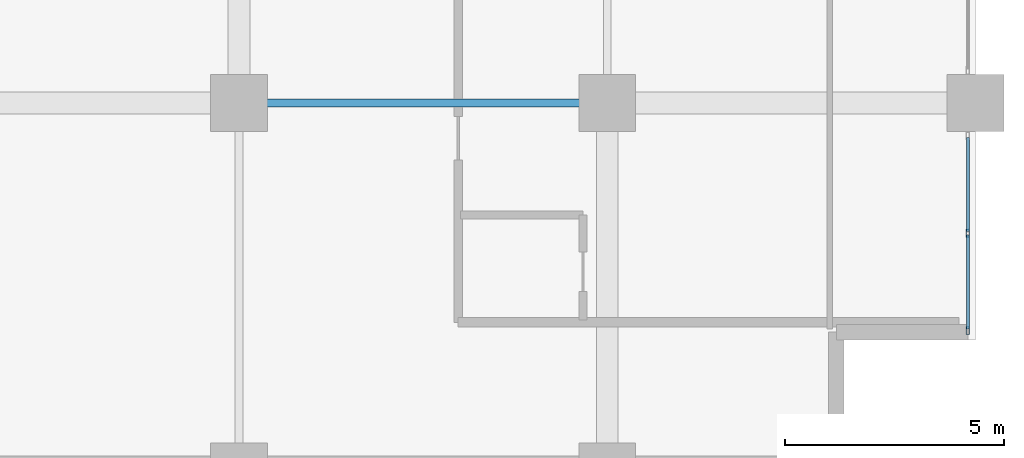
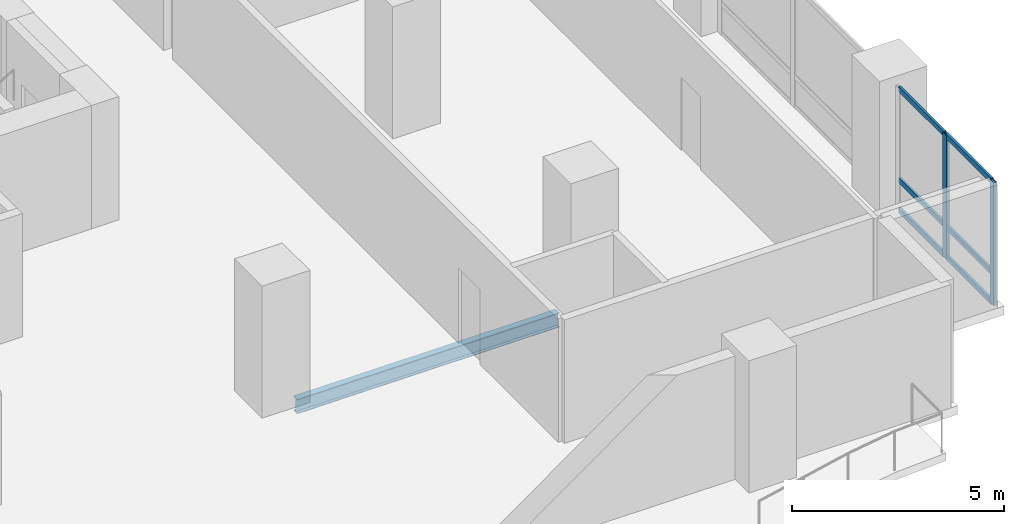
# One storey, part 3 of 23: 8 members, 1 beam, 1 element without a shape of its own.
"""IFC4 building model written with IfcOpenShell, lengths in metres."""

import ifcopenshell
import ifcopenshell.guid

model = None  # the IFC model being written
_history = None  # IfcOwnerHistory: only IFC2X3 demands one
_inside = {}  # id of a spatial element -> (the spatial element, [elements in it])
_under = {}  # id of a project, library or spatial element -> (it, [spatial elements below it])
_declared = {}  # id of a project -> (the project, [libraries it declares])
_typed = {}  # id of a type object -> (the type object, [elements of that type])
_made_of = {}  # id of a material, layer set ... -> (it, [elements and type objects made of it])


def new_model(schema):
    """Start an empty IFC model of exactly this schema.

    Asked for "IFC4X3", IfcOpenShell would pick the latest addendum, in which some entities
    have other attributes; the version numbers below select the first issue.
    IFC2X3 requires an IfcOwnerHistory on every rooted entity: one is made here for all.
    """
    global model, _history
    if schema == "IFC4X3":
        model = ifcopenshell.file(schema_version=(4, 3, 0, 0))
    else:
        model = ifcopenshell.file(schema=schema)
    _inside.clear()
    _under.clear()
    _declared.clear()
    _typed.clear()
    _made_of.clear()
    _history = None
    if model.schema == "IFC2X3":
        org = make("IfcOrganization", Name="unknown")
        user = make(
            "IfcPersonAndOrganization",
            ThePerson=make("IfcPerson", FamilyName="unknown"),
            TheOrganization=org,
        )
        app = make(
            "IfcApplication",
            ApplicationDeveloper=org,
            Version="unknown",
            ApplicationFullName="unknown",
            ApplicationIdentifier="unknown",
        )
        _history = make(
            "IfcOwnerHistory",
            OwningUser=user,
            OwningApplication=app,
            ChangeAction="ADDED",
            CreationDate=0,
        )
    return model


def make(cls, **values):
    """One entity of the class cls with the attributes given. An attribute that is None is left unset."""
    return model.create_entity(
        cls, **{name: value for name, value in values.items() if value is not None}
    )


def rooted(cls, **values):
    """An entity with a GlobalId (a new one), such as an element, a storey or a relation."""
    return make(cls, GlobalId=ifcopenshell.guid.new(), OwnerHistory=_history, **values)


def si_unit(unit_type, name, prefix=None):
    """IfcSIUnit, for example si_unit("LENGTHUNIT", "METRE", prefix="MILLI")."""
    return make("IfcSIUnit", UnitType=unit_type, Prefix=prefix, Name=name)


def assignment(units):
    """IfcUnitAssignment: the units of a project."""
    return None if units is None else make("IfcUnitAssignment", Units=units)


def point(xyz):
    """IfcCartesianPoint."""
    return None if xyz is None else make("IfcCartesianPoint", Coordinates=xyz)


def direction(xyz):
    """IfcDirection."""
    return None if xyz is None else make("IfcDirection", DirectionRatios=xyz)


def frame(location, z_axis=None, x_axis=None):
    """IfcAxis2Placement3D, a coordinate frame: its origin and axes. An axis left out is left unset."""
    return make(
        "IfcAxis2Placement3D",
        Location=point(location),
        Axis=direction(z_axis),
        RefDirection=direction(x_axis),
    )


def frame_2d(location, x_axis=None):
    """IfcAxis2Placement2D, a coordinate frame in the plane: its origin and x axis."""
    return make(
        "IfcAxis2Placement2D", Location=point(location), RefDirection=direction(x_axis)
    )


def origin():
    """The frame at (0, 0, 0) with its axes left unset."""
    return frame((0.0, 0.0, 0.0))


def origin_2d():
    """The frame at (0, 0) in the plane with its x axis left unset."""
    return frame_2d((0.0, 0.0))


def place(relative_to, where):
    """IfcLocalPlacement: puts the frame where relative to a parent placement (None: the world)."""
    return make(
        "IfcLocalPlacement", PlacementRelTo=relative_to, RelativePlacement=where
    )


def context(
    kind, dimensions, precision=None, world=None, true_north=None, identifier=None
):
    """IfcGeometricRepresentationContext, for example the 3D "Model" context."""
    return make(
        "IfcGeometricRepresentationContext",
        ContextIdentifier=identifier,
        ContextType=kind,
        CoordinateSpaceDimension=dimensions,
        Precision=precision,
        WorldCoordinateSystem=world,
        TrueNorth=true_north,
    )


def subcontext(parent, identifier, kind, view, scale=None):
    """IfcGeometricRepresentationSubContext, for example "Body" below "Model"."""
    return make(
        "IfcGeometricRepresentationSubContext",
        ContextIdentifier=identifier,
        ContextType=kind,
        ParentContext=parent,
        TargetScale=scale,
        TargetView=view,
    )


def project(units=None, contexts=None):
    """IfcProject with its units and contexts."""
    return rooted(
        "IfcProject",
        Name="project",
        RepresentationContexts=contexts,
        UnitsInContext=assignment(units),
    )


def spatial(cls, under=None, at=None, **own):
    """A site, building, storey or space (cls), placed at a placement, below another one or the project."""
    s = rooted(cls, ObjectPlacement=at, **own)
    if under is not None:
        _under.setdefault(under.id(), (under, []))[1].append(s)
    return s


def profile(cls, at=None, kind="AREA", **sizes):
    """A parametric profile (cls). Its sizes go by their IFC names, for example OverallWidth=200.0."""
    return make(cls, ProfileType=kind, Position=at, **sizes)


def hollow_rectangle(**sizes):
    """IfcRectangleHollowProfileDef."""
    return profile("IfcRectangleHollowProfileDef", **sizes)


def i_section(**sizes):
    """IfcIShapeProfileDef."""
    return profile("IfcIShapeProfileDef", **sizes)


def extrude(swept, where, along, depth):
    """IfcExtrudedAreaSolid: the profile swept, set in the frame where, extruded along a direction by depth."""
    return make(
        "IfcExtrudedAreaSolid",
        SweptArea=swept,
        Position=where,
        ExtrudedDirection=direction(along),
        Depth=depth,
    )


def shape(context_of_items, identifier, shape_type, items):
    """IfcShapeRepresentation: the items that make up one representation, for example the "Body"."""
    return make(
        "IfcShapeRepresentation",
        ContextOfItems=context_of_items,
        RepresentationIdentifier=identifier,
        RepresentationType=shape_type,
        Items=items,
    )


def material(Name=None, Category=None):
    """IfcMaterial."""
    return make("IfcMaterial", Name=Name, Category=Category)


def layer(
    of_material, thickness, ventilated=None, Name=None, Category=None, Priority=None
):
    """IfcMaterialLayer: one layer of a wall or slab, of a material (None: an air gap)."""
    return make(
        "IfcMaterialLayer",
        Material=of_material,
        LayerThickness=thickness,
        IsVentilated=ventilated,
        Name=Name,
        Category=Category,
        Priority=Priority,
    )


def layer_set(layers, Name=None):
    """IfcMaterialLayerSet."""
    return make("IfcMaterialLayerSet", MaterialLayers=layers, LayerSetName=Name)


def material_profile(
    of_material, cross_section, Name=None, Category=None, Priority=None
):
    """IfcMaterialProfile: a cross section and its material."""
    return make(
        "IfcMaterialProfile",
        Name=Name,
        Material=of_material,
        Profile=cross_section,
        Priority=Priority,
        Category=Category,
    )


def profile_set(profiles, Name=None, composite=None):
    """IfcMaterialProfileSet."""
    return make(
        "IfcMaterialProfileSet",
        Name=Name,
        MaterialProfiles=profiles,
        CompositeProfile=composite,
    )


def made_of(thing, what):
    """Note that an element or type object is made of a material, layer set ...; save() writes the relation."""
    if what is not None:
        _made_of.setdefault(what.id(), (what, []))[1].append(thing)
    return thing


def type_object(cls, material=None, **own):
    """A type object (cls), such as IfcWallType, which elements share."""
    return made_of(rooted(cls, **own), material)


def element(
    cls,
    number,
    at=None,
    inside=None,
    cuts=None,
    type_object=None,
    material=None,
    context=None,
    identifier="Body",
    shape_type=None,
    held_by="IfcProductDefinitionShape",
    body=None,
    shapes=None,
    **own,
):
    """One element of the class cls, such as IfcWall. Its Tag is "e" and its number.

    at: its placement. inside: the storey or other place that contains it. cuts: it is an
    opening in that element (IfcRelVoidsElement). A single representation is given by context,
    identifier, shape_type and body (its items); several are given by shapes. held_by: the class
    of the entity that holds the representations. save() writes the other relations.
    """
    e = rooted(cls, Tag="e%d" % number, ObjectPlacement=at, **own)
    if body is not None:
        shapes = [shape(context, identifier, shape_type, body)]
    if shapes is not None:
        e.Representation = make(held_by, Representations=shapes)
    if inside is not None:
        _inside.setdefault(inside.id(), (inside, []))[1].append(e)
    if cuts is not None:
        rooted(
            "IfcRelVoidsElement", RelatingBuildingElement=cuts, RelatedOpeningElement=e
        )
    if type_object is not None:
        _typed.setdefault(type_object.id(), (type_object, []))[1].append(e)
    return made_of(e, material)


def aggregate(whole, parts):
    """IfcRelAggregates: a whole, such as a stair, and the parts it consists of."""
    return rooted("IfcRelAggregates", RelatingObject=whole, RelatedObjects=parts)


def save(model, path):
    """Write the relations noted so far, then the file.

    IfcRelAggregates (storeys below a building ...), IfcRelContainedInSpatialStructure (elements
    in a storey), IfcRelDefinesByType, IfcRelAssociatesMaterial and IfcRelDeclares: one each for
    every whole, place, type object, material and project.
    """
    for whole, parts in _under.values():
        aggregate(whole, parts)
    for where, things in _inside.values():
        rooted(
            "IfcRelContainedInSpatialStructure",
            RelatedElements=things,
            RelatingStructure=where,
        )
    for kind, things in _typed.values():
        rooted("IfcRelDefinesByType", RelatedObjects=things, RelatingType=kind)
    for what, things in _made_of.values():
        rooted("IfcRelAssociatesMaterial", RelatedObjects=things, RelatingMaterial=what)
    for by, libraries in _declared.values():
        rooted("IfcRelDeclares", RelatingContext=by, RelatedDefinitions=libraries)
    model.write(path)


model = new_model("IFC4")

# Units and contexts
model_context = context("Model", 3, precision=1e-05, world=origin(), true_north=direction((0.0, 1.0)))
body_context = subcontext(model_context, "Body", "Model", "MODEL_VIEW")
ifc_project = project(units=[si_unit("LENGTHUNIT", "METRE"), si_unit("AREAUNIT", "SQUARE_METRE"), si_unit("VOLUMEUNIT", "CUBIC_METRE"), si_unit("PLANEANGLEUNIT", "RADIAN"), si_unit("MASSUNIT", "GRAM", prefix="KILO")], contexts=[model_context])

# Site, building, storey
site_placement = place(None, origin())
site = spatial("IfcSite", under=ifc_project, at=site_placement, CompositionType="ELEMENT")
building_placement = place(site_placement, origin())
building = spatial("IfcBuilding", under=site, at=building_placement, Name="Koriwani Terraces Tower", CompositionType="ELEMENT")
storey_placement = place(building_placement, frame((0.0, 0.0, 134.199951171875)))
storey = spatial("IfcBuildingStorey", under=building, at=storey_placement, Name="L32", CompositionType="ELEMENT", Elevation=134.199951171875)

# Curtain wall, members
ifc_material_1 = material(Name="Anodised Bronze Aluminium", Category="aluminium")
ifc_layer = layer(ifc_material_1, 0.179931640625, Name="Anodised Bronze Aluminium")
ifc_layer_set = layer_set([ifc_layer], Name="Anodised Bronze Aluminium")
curtain_wall_type = type_object("IfcCurtainWallType", Name="CW_HOTEL_ZONE2", PredefinedType="NOTDEFINED", material=ifc_layer_set)
curtain_wall_placement = place(storey_placement, origin())
curtain_wall = element("IfcCurtainWall", 1, at=curtain_wall_placement, inside=storey, type_object=curtain_wall_type, Name="L32 Unitised Curtain Wall (E_TIP) Bay 4", PredefinedType="NOTDEFINED")
ifc_material_profile_1 = material_profile(ifc_material_1, hollow_rectangle(XDim=0.074951171875, YDim=0.179931640625, WallThickness=0.006103515625, at=origin_2d()), Name="Anodised Bronze Aluminium", Category="LoadBearing")
ifc_profile_set_1 = profile_set([ifc_material_profile_1], Name="Anodised Bronze Aluminium")
member_type_1 = type_object("IfcMemberType", Name="CW_MULLION_180X75", PredefinedType="MULLION", material=ifc_profile_set_1)
member_1_placement = place(storey_placement, frame((75.425048828125, 5.4326171875, 0.0), z_axis=(0.0, 0.0, 1.0), x_axis=(1.0, 0.0, 0.0)))
member_1 = element("IfcMember", 2, at=member_1_placement, type_object=member_type_1, Name="CW-Z2 mullion 2", PredefinedType="MULLION", context=body_context, shape_type="SweptSolid", body=[
    extrude(hollow_rectangle(XDim=0.074951171875, YDim=0.179931640625, WallThickness=0.006103515625, at=origin_2d()), origin(), (0.0, 0.0, 1.0), 3.550048828125),
])
member_2_placement = place(storey_placement, frame((75.425048828125, 3.21240234375, 0.0), z_axis=(0.0, 0.0, 1.0), x_axis=(1.0, 0.0, 0.0)))
member_2 = element("IfcMember", 3, at=member_2_placement, type_object=member_type_1, Name="CW-Z2 mullion 3", PredefinedType="MULLION", context=body_context, shape_type="SweptSolid", body=[
    extrude(hollow_rectangle(XDim=0.074951171875, YDim=0.179931640625, WallThickness=0.006103515625, at=origin_2d()), origin(), (0.0, 0.0, 1.0), 3.550048828125),
])
ifc_material_profile_2 = material_profile(ifc_material_1, hollow_rectangle(XDim=0.06494140625, YDim=0.14990234375, WallThickness=0.0048828125, at=origin_2d()), Name="Anodised Bronze Aluminium", Category="LoadBearing")
ifc_profile_set_2 = profile_set([ifc_material_profile_2], Name="Anodised Bronze Aluminium")
member_type_2 = type_object("IfcMemberType", Name="CW_TRANSOM_150X65", PredefinedType="USERDEFINED", material=ifc_profile_set_2)
member_3_placement = place(storey_placement, frame((75.425048828125, 7.614990234375, 0.032470703125), z_axis=(0.0, -1.0, 0.0), x_axis=(1.0, 0.0, 0.0)))
member_3 = element("IfcMember", 4, at=member_3_placement, type_object=member_type_2, Name="CW-Z2 transom 1.1", ObjectType="TRANSOM", PredefinedType="USERDEFINED", context=body_context, shape_type="SweptSolid", body=[
    extrude(hollow_rectangle(XDim=0.06494140625, YDim=0.14990234375, WallThickness=0.0048828125, at=origin_2d()), origin(), (0.0, 0.0, 1.0), 2.14501953125),
])
member_4_placement = place(storey_placement, frame((75.425048828125, 7.614990234375, 0.900146484375), z_axis=(0.0, -1.0, 0.0), x_axis=(1.0, 0.0, 0.0)))
member_4 = element("IfcMember", 5, at=member_4_placement, type_object=member_type_2, Name="CW-Z2 transom 1.2", ObjectType="TRANSOM", PredefinedType="USERDEFINED", context=body_context, shape_type="SweptSolid", body=[
    extrude(hollow_rectangle(XDim=0.06494140625, YDim=0.14990234375, WallThickness=0.0048828125, at=origin_2d()), origin(), (0.0, 0.0, 1.0), 2.14501953125),
])
member_5_placement = place(storey_placement, frame((75.425048828125, 7.614990234375, 3.517578125), z_axis=(0.0, -1.0, 0.0), x_axis=(1.0, 0.0, 0.0)))
member_5 = element("IfcMember", 6, at=member_5_placement, type_object=member_type_2, Name="CW-Z2 transom 1.3", ObjectType="TRANSOM", PredefinedType="USERDEFINED", context=body_context, shape_type="SweptSolid", body=[
    extrude(hollow_rectangle(XDim=0.06494140625, YDim=0.14990234375, WallThickness=0.0048828125, at=origin_2d()), origin(), (0.0, 0.0, 1.0), 2.14501953125),
])
member_6_placement = place(storey_placement, frame((75.425048828125, 5.39501953125, 0.032470703125), z_axis=(0.0, -1.0, 0.0), x_axis=(1.0, 0.0, 0.0)))
member_6 = element("IfcMember", 7, at=member_6_placement, type_object=member_type_2, Name="CW-Z2 transom 2.1", ObjectType="TRANSOM", PredefinedType="USERDEFINED", context=body_context, shape_type="SweptSolid", body=[
    extrude(hollow_rectangle(XDim=0.06494140625, YDim=0.14990234375, WallThickness=0.0048828125, at=origin_2d()), origin(), (0.0, 0.0, 1.0), 2.14501953125),
])
member_7_placement = place(storey_placement, frame((75.425048828125, 5.39501953125, 0.900146484375), z_axis=(0.0, -1.0, 0.0), x_axis=(1.0, 0.0, 0.0)))
member_7 = element("IfcMember", 8, at=member_7_placement, type_object=member_type_2, Name="CW-Z2 transom 2.2", ObjectType="TRANSOM", PredefinedType="USERDEFINED", context=body_context, shape_type="SweptSolid", body=[
    extrude(hollow_rectangle(XDim=0.06494140625, YDim=0.14990234375, WallThickness=0.0048828125, at=origin_2d()), origin(), (0.0, 0.0, 1.0), 2.14501953125),
])
member_8_placement = place(storey_placement, frame((75.425048828125, 5.39501953125, 3.517578125), z_axis=(0.0, -1.0, 0.0), x_axis=(1.0, 0.0, 0.0)))
member_8 = element("IfcMember", 9, at=member_8_placement, type_object=member_type_2, Name="CW-Z2 transom 2.3", ObjectType="TRANSOM", PredefinedType="USERDEFINED", context=body_context, shape_type="SweptSolid", body=[
    extrude(hollow_rectangle(XDim=0.06494140625, YDim=0.14990234375, WallThickness=0.0048828125, at=origin_2d()), origin(), (0.0, 0.0, 1.0), 2.14501953125),
])
aggregate(curtain_wall, [member_1, member_2, member_3, member_4, member_5, member_6, member_7, member_8])

# Beam
ifc_material_2 = material(Name="Steel ASTM A572 Grade 50", Category="steel")
ifc_material_profile_3 = material_profile(ifc_material_2, i_section(OverallWidth=0.180908203125, OverallDepth=0.4169921875, WebThickness=0.010986328125, FlangeThickness=0.018310546875, at=origin_2d()), Name="Steel ASTM A572 Grade 50", Category="LoadBearing")
ifc_profile_set_3 = profile_set([ifc_material_profile_3], Name="Steel ASTM A572 Grade 50")
beam_type = type_object("IfcBeamType", Name="STEEL_BEAM_W410X85", PredefinedType="JOIST", material=ifc_profile_set_3)
beam_placement = place(storey_placement, frame((59.429931640625, 8.39990234375, -0.45849609375), z_axis=(1.0, 0.0, 0.0), x_axis=(0.0, 1.0, 0.0)))
element("IfcBeam", 10, at=beam_placement, inside=storey, type_object=beam_type, Name="L32 Grid Beam B (58.8-67.2m)", PredefinedType="JOIST", context=body_context, shape_type="SweptSolid", body=[
    extrude(i_section(OverallWidth=0.180908203125, OverallDepth=0.4169921875, WebThickness=0.010986328125, FlangeThickness=0.018310546875, at=origin_2d()), origin(), (0.0, 0.0, 1.0), 7.14013671875),
])

save(model, "model.ifc")
